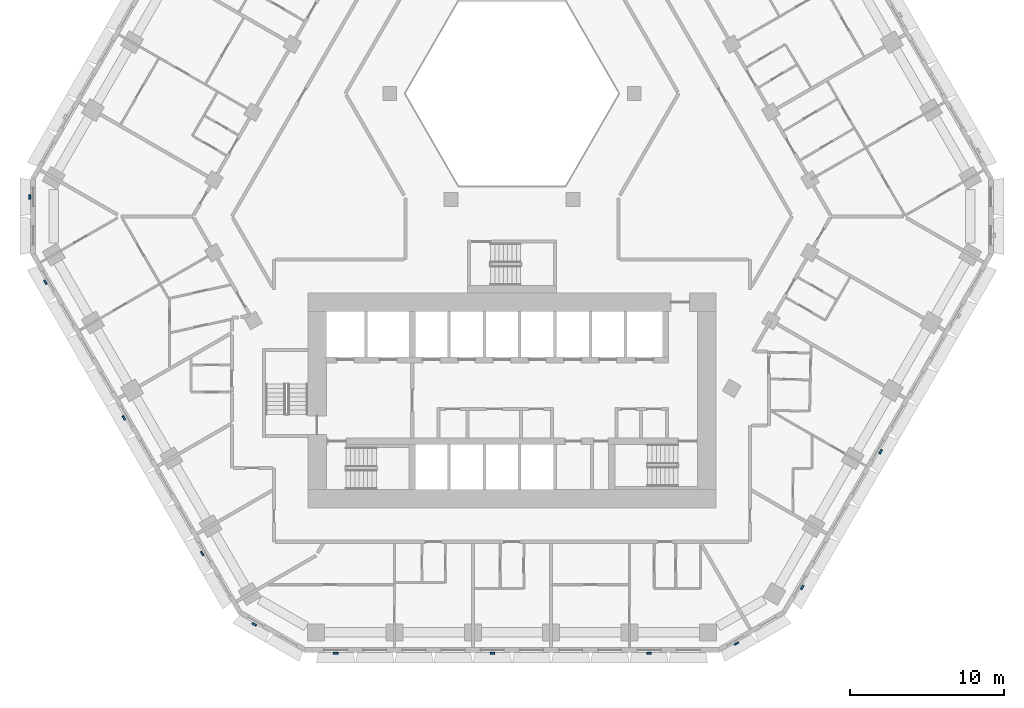
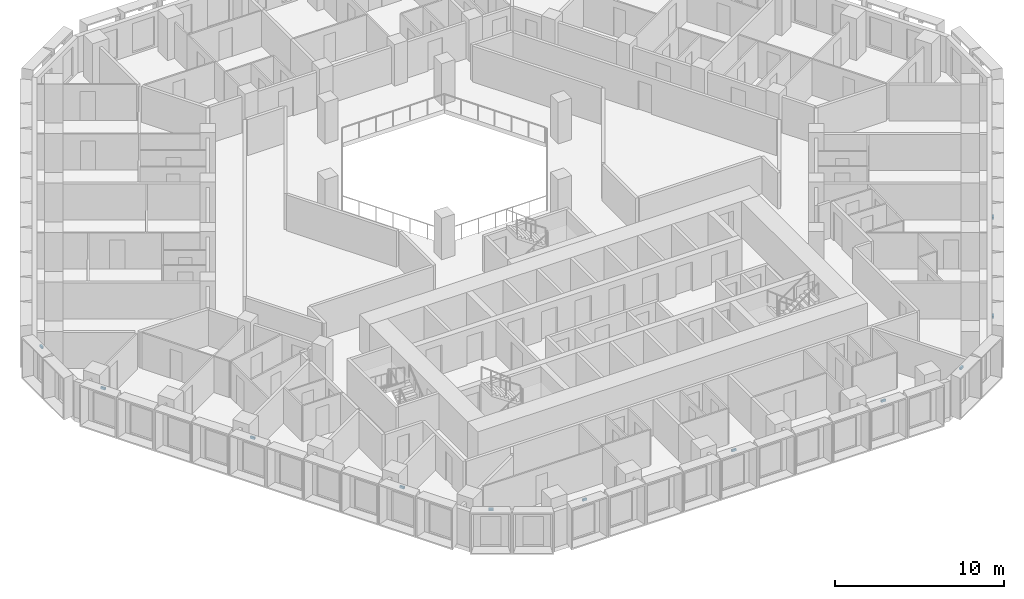
# One storey, part 13 of 21: 11 discrete accessories.
"""IFC4 building model written with IfcOpenShell, lengths in metres."""

from ifc_helpers import new_model, si_unit, direction, frame, origin, place, context, subcontext, project, spatial, polyline, outline, extrude, source, transform, mapped, material, type_object, type_shapes, element, save


model = new_model("IFC4")

# Units and contexts
model_context = context("Model", 3, precision=1e-05, world=origin(), true_north=direction((0.0, 1.0)))
body_context = subcontext(model_context, "Body", "Model", "MODEL_VIEW")
ifc_project = project(units=[si_unit("LENGTHUNIT", "METRE"), si_unit("AREAUNIT", "SQUARE_METRE"), si_unit("VOLUMEUNIT", "CUBIC_METRE"), si_unit("PLANEANGLEUNIT", "RADIAN"), si_unit("MASSUNIT", "GRAM", prefix="KILO")], contexts=[model_context])

# Site, building, storey
site_placement = place(None, origin())
site = spatial("IfcSite", under=ifc_project, at=site_placement, CompositionType="ELEMENT")
building_placement = place(site_placement, origin())
building = spatial("IfcBuilding", under=site, at=building_placement, Name="Beryl Residences", CompositionType="ELEMENT")
storey_placement = place(building_placement, frame((0.0, 0.0, 59.39990234375)))
storey = spatial("IfcBuildingStorey", under=building, at=storey_placement, Name="L18", CompositionType="ELEMENT", Elevation=59.39990234375)

# Discrete accessories
ifc_material = material(Name="Steel S355", Category="steel")
discrete_accessory_type = type_object("IfcDiscreteAccessoryType", Name="BR1 frame bracket 300 x 120 x 150 mm", PredefinedType="BRACKET", material=ifc_material)
shared_shape = source(origin(), body_context, "Body", "SweptSolid", [
    extrude(outline(polyline([(-0.14990234375, 0.0), (0.14990234375, 0.0), (0.14990234375, 0.1201171875), (-0.14990234375, 0.1201171875), (-0.14990234375, 0.0)])), origin(), (0.0, 0.0, 1.0), 0.14990234375),
])
type_shapes(discrete_accessory_type, [shared_shape])
for number, where, z_axis, x_axis, name in (
    (1, (-31.35009765625, 1.25, 2.75), (0.0, 0.0, 1.0), (0.0, 1.0, 0.0), "BR1 bracket L18 NW-SW 1"),
    (2, (-30.3359375, -4.2548828125, 2.75), (0.0, 0.0, 1.0), (-0.5, 0.866025403784, 0.0), "BR1 bracket L18 SW 1"),
    (3, (-25.23193359375, -13.095947265625, 2.75), (0.0, 0.0, 1.0), (-0.5, 0.866025403784, 0.0), "BR1 bracket L18 SW 5"),
    (4, (-20.12890625, -21.93603515625, 2.75), (0.0, 0.0, 1.0), (-0.5, 0.866025403784, 0.0), "BR1 bracket L18 SW 9"),
    (5, (-16.758056640625, -26.52490234375, 2.75), (0.0, 0.0, 1.0), (-0.866025403784, 0.5, 0.0), "BR1 bracket L18 SW-S 1"),
    (6, (-11.48291015625, -28.39990234375, 2.75), (0.0, 0.0, 1.0), (-1.0, 0.0, 0.0), "BR1 bracket L18 S 1"),
    (7, (-1.27490234375, -28.39990234375, 2.75), (0.0, 0.0, 1.0), (-1.0, 0.0, 0.0), "BR1 bracket L18 S 5"),
    (8, (8.93310546875, -28.39990234375, 2.75), (0.0, 0.0, 1.0), (-1.0, 0.0, 0.0), "BR1 bracket L18 S 9"),
    (9, (14.593017578125, -27.77490234375, 2.75), (0.0, 0.0, 1.0), (-0.866025403784, -0.5, 0.0), "BR1 bracket L18 S-SE 1"),
    (10, (18.85400390625, -24.14501953125, 2.75), (0.0, 0.0, 1.0), (-0.5, -0.866025403784, 0.0), "BR1 bracket L18 SE 1"),
    (11, (23.9580078125, -15.303955078125, 2.75), (0.0, 0.0, 1.0), (-0.5, -0.866025403784, 0.0), "BR1 bracket L18 SE 5"),
):
    element("IfcDiscreteAccessory", number, at=place(storey_placement, frame(where, z_axis=z_axis, x_axis=x_axis)), inside=storey, type_object=discrete_accessory_type, Name=name, PredefinedType="BRACKET", context=body_context, shape_type="MappedRepresentation", body=[
        mapped(shared_shape, transform((0.0, 0.0, 0.0))),
    ])

save(model, "model.ifc")
